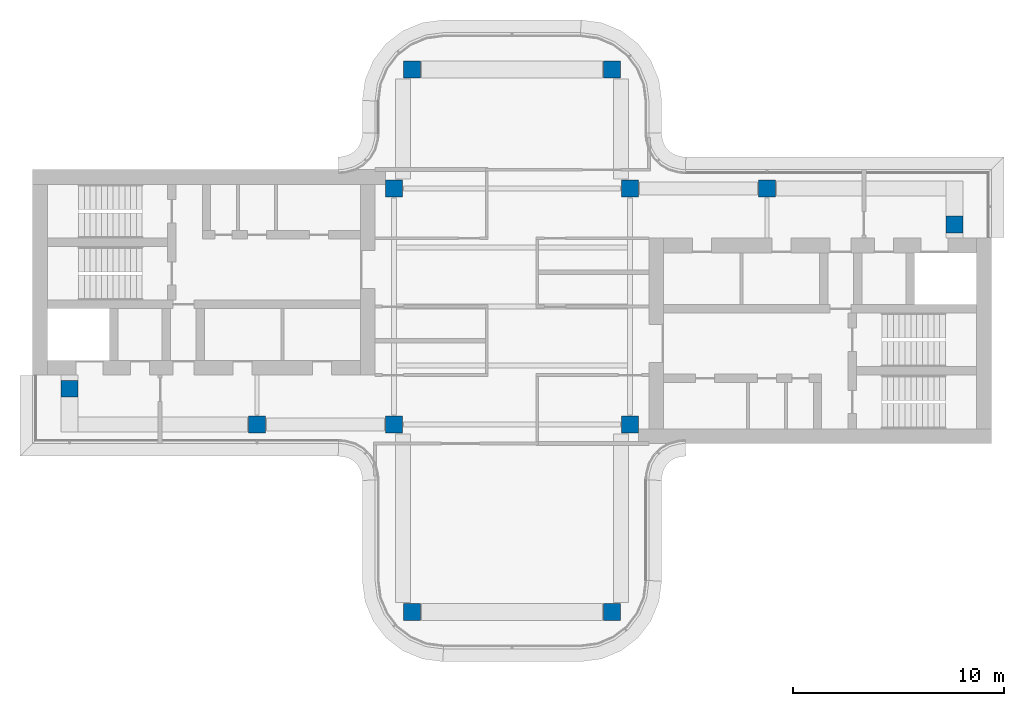
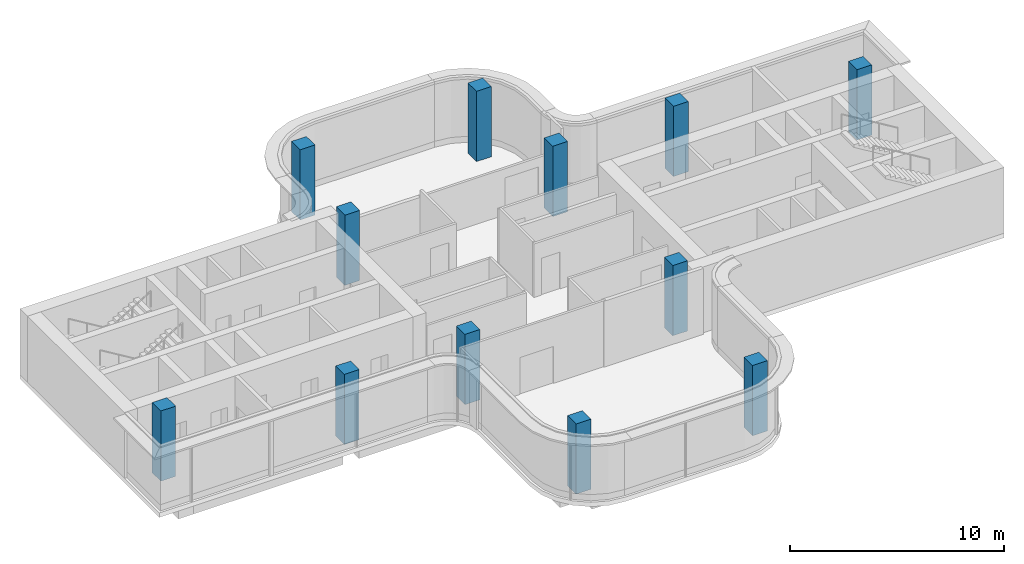
# One storey, part 1 of 10: 12 columns.
"""IFC4 building model written with IfcOpenShell, lengths in metres."""

from ifc_helpers import new_model, si_unit, direction, frame, origin, origin_2d, place, context, subcontext, project, spatial, rectangle, extrude, source, transform, mapped, material, material_profile, profile_set, type_object, element, save


model = new_model("IFC4")

# Units and contexts
model_context = context("Model", 3, precision=1e-05, world=origin(), true_north=direction((0.0, 1.0)))
body_context = subcontext(model_context, "Body", "Model", "MODEL_VIEW")
ifc_project = project(units=[si_unit("LENGTHUNIT", "METRE"), si_unit("AREAUNIT", "SQUARE_METRE"), si_unit("VOLUMEUNIT", "CUBIC_METRE"), si_unit("PLANEANGLEUNIT", "RADIAN"), si_unit("MASSUNIT", "GRAM", prefix="KILO")], contexts=[model_context])

# Site, building, storey
site_placement = place(None, origin())
site = spatial("IfcSite", under=ifc_project, at=site_placement, CompositionType="ELEMENT")
building_placement = place(site_placement, origin())
building = spatial("IfcBuilding", under=site, at=building_placement, Name="Trellis Farm Tower", CompositionType="ELEMENT")
storey_placement = place(building_placement, frame((0.0, 0.0, 350.10009765625)))
storey = spatial("IfcBuildingStorey", under=building, at=storey_placement, Name="L79", CompositionType="ELEMENT", Elevation=350.10009765625)

# Columns
ifc_material = material(Name="Concrete C50/60", Category="concrete")
ifc_material_profile = material_profile(ifc_material, rectangle(XDim=0.800048828125, YDim=0.800048828125, at=origin_2d()), Name="RC column 800x800 C50/60")
ifc_profile_set = profile_set([ifc_material_profile], Name="Concrete C50/60")
column_type = type_object("IfcColumnType", Name="RC column 800x800 C50/60", PredefinedType="COLUMN", material=ifc_profile_set)
shared_shape = source(origin(), body_context, "Body", "SweptSolid", [
    extrude(rectangle(XDim=0.800048828125, YDim=0.800048828125, at=origin_2d()), origin(), (0.0, 0.0, 1.0), 4.0),
])
for number, where, z_axis, x_axis, name in (
    (1, (12.10009765625, 5.60009765625, 0.0), (0.0, 0.0, 1.0), (1.0, 0.0, 0.0), "Column"),
    (2, (21.0, 3.89990234375, 0.0), (0.0, 0.0, 1.0), (1.0, 0.0, 0.0), "Column"),
    (3, (-4.75, 11.25, 0.0), (0.0, 0.0, 1.0), (1.0, 0.0, 0.0), "Column"),
    (4, (4.75, 11.25, 0.0), (0.0, 0.0, 1.0), (1.0, 0.0, 0.0), "Column"),
    (5, (5.60009765625, 5.60009765625, 0.0), (0.0, 0.0, 1.0), (1.0, 0.0, 0.0), "Column"),
    (6, (-5.60009765625, 5.60009765625, 0.0), (0.0, 0.0, 1.0), (1.0, 0.0, 0.0), "Column"),
    (7, (5.60009765625, -5.60009765625, 0.0), (0.0, 0.0, 1.0), (1.0, 0.0, 0.0), "Column"),
    (8, (-5.60009765625, -5.60009765625, 0.0), (0.0, 0.0, 1.0), (1.0, 0.0, 0.0), "Column"),
    (9, (4.75, -14.5, 0.0), (0.0, 0.0, 1.0), (1.0, 0.0, 0.0), "Column"),
    (10, (-4.75, -14.5, 0.0), (0.0, 0.0, 1.0), (1.0, 0.0, 0.0), "Column"),
    (11, (-12.10009765625, -5.60009765625, 0.0), (0.0, 0.0, 1.0), (1.0, 0.0, 0.0), "Column"),
    (12, (-21.0, -3.89990234375, 0.0), (0.0, 0.0, 1.0), (1.0, 0.0, 0.0), "Column"),
):
    element("IfcColumn", number, at=place(storey_placement, frame(where, z_axis=z_axis, x_axis=x_axis)), inside=storey, type_object=column_type, Name=name, PredefinedType="COLUMN", context=body_context, shape_type="MappedRepresentation", body=[
        mapped(shared_shape, transform((0.0, 0.0, 0.0))),
    ])

save(model, "model.ifc")
